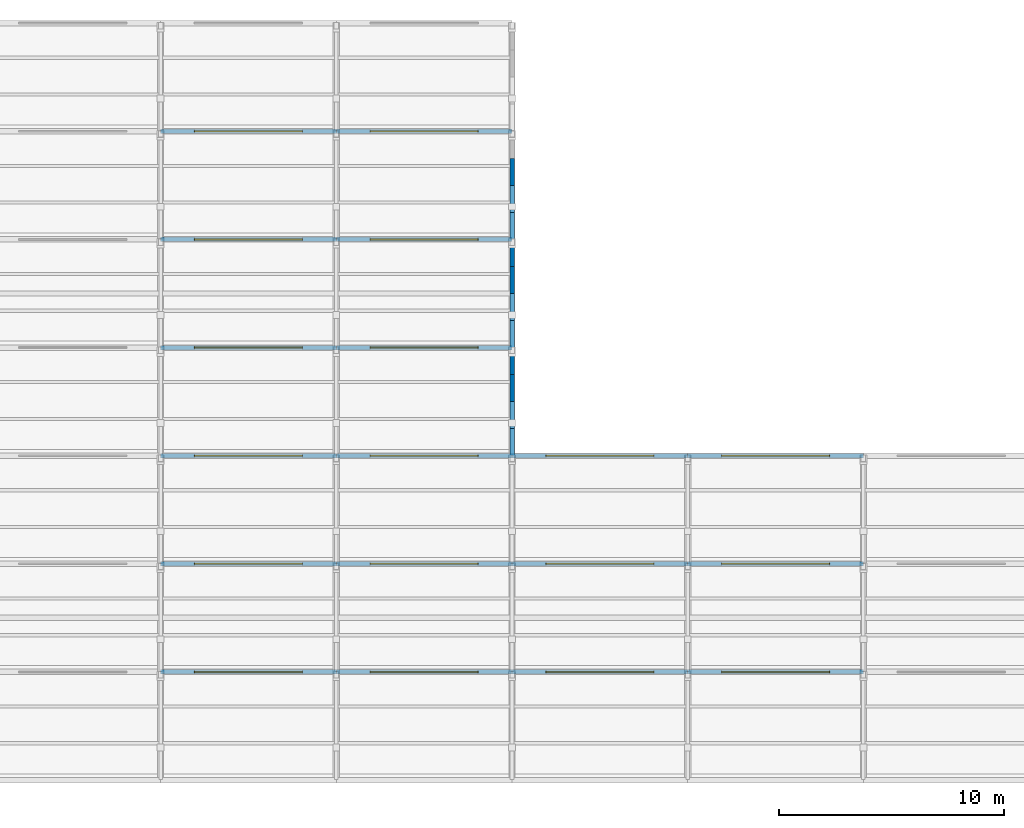
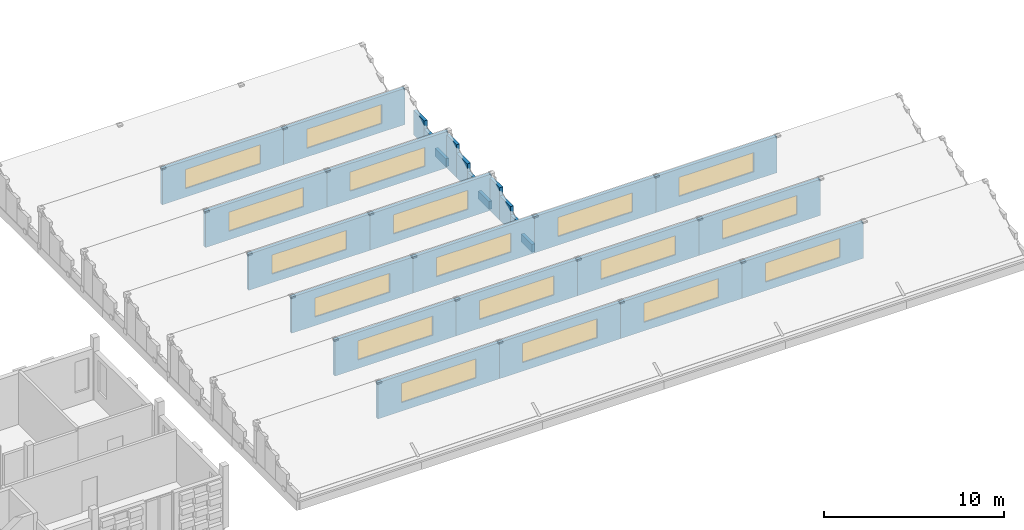
# One storey, part 63 of 81: 29 walls, 18 windows, 18 openings.
"""IFC4 building model written with IfcOpenShell, lengths in metres."""

from ifc_helpers import new_model, si_unit, direction, frame, frame_2d, origin, place, context, subcontext, project, spatial, rectangle, extrude, material, layer, layer_set, type_object, element, fill, save


model = new_model("IFC4")

# Units and contexts
model_context = context("Model", 3, precision=1e-05, world=origin(), true_north=direction((0.0, 1.0)))
body_context = subcontext(model_context, "Body", "Model", "MODEL_VIEW")
ifc_project = project(units=[si_unit("LENGTHUNIT", "METRE"), si_unit("AREAUNIT", "SQUARE_METRE"), si_unit("VOLUMEUNIT", "CUBIC_METRE"), si_unit("PLANEANGLEUNIT", "RADIAN"), si_unit("MASSUNIT", "GRAM", prefix="KILO")], contexts=[model_context])

# Site, building, storey
site_placement = place(None, origin())
site = spatial("IfcSite", under=ifc_project, at=site_placement, CompositionType="ELEMENT")
building_placement = place(site_placement, origin())
building = spatial("IfcBuilding", under=site, at=building_placement, Name="Kahlenmark Community Centre", CompositionType="ELEMENT")
storey_placement = place(building_placement, frame((0.0, 0.0, 9.60009765625)))
storey = spatial("IfcBuildingStorey", under=building, at=storey_placement, Name="L02", CompositionType="ELEMENT", Elevation=9.60009765625)

# Wall, opening, window
ifc_material_1 = material(Name="Cross-laminated timber CLT C24", Category="wood")
ifc_layer = layer(ifc_material_1, 0.199951171875)
ifc_layer_set = layer_set([ifc_layer], Name="Cross-laminated timber CLT C24")
wall_type = type_object("IfcWallType", Name="WT-EW-SAW200", PredefinedType="SOLIDWALL", material=ifc_layer_set)
wall_1_placement = place(storey_placement, frame((129.39990234375, 13.60009765625, 0.0), z_axis=(0.0, 0.0, 1.0), x_axis=(1.0, 0.0, 0.0)))
wall_1 = element("IfcWall", 1, at=wall_1_placement, inside=storey, type_object=wall_type, Name="Sawtooth north-light wall bay 1", PredefinedType="SOLIDWALL", context=body_context, shape_type="SweptSolid", body=[
    extrude(rectangle(XDim=7.800048828125, YDim=0.199951171875, at=frame_2d((3.89990234375, 0.0))), origin(), (0.0, 0.0, 1.0), 2.4599609375),
])
opening_1_placement = place(wall_1_placement, frame((1.5, 0.0, 0.580078125)))
opening_1 = element("IfcOpeningElement", 2, at=opening_1_placement, cuts=wall_1, Name="Opening SK-SAW1", PredefinedType="OPENING", context=body_context, shape_type="SweptSolid", body=[
    extrude(rectangle(XDim=4.800048828125, YDim=1.300048828125, at=frame_2d((2.39990234375, 0.64990234375))), frame((0.0, 0.10986328125, 0.0), z_axis=(0.0, -1.0, 0.0), x_axis=(1.0, 0.0, 0.0)), (0.0, 0.0, 1.0), 0.219970703125),
])
ifc_material_2 = material(Name="North-light solar control triple glazing", Category="glass")
window_type = type_object("IfcWindowType", Name="WNT-SK-SAW", PartitioningType="TRIPLE_PANEL_VERTICAL", PredefinedType="SKYLIGHT", material=ifc_material_2)
window_1_placement = place(opening_1_placement, origin())
window_1 = element("IfcWindow", 3, at=window_1_placement, inside=storey, type_object=window_type, Name="Sawtooth north-light skylight 0552", OverallHeight=1.300048828125, OverallWidth=4.800048828125, PartitioningType="TRIPLE_PANEL_VERTICAL", PredefinedType="SKYLIGHT", context=body_context, shape_type="SweptSolid", body=[
    extrude(rectangle(XDim=4.800048828125, YDim=1.300048828125, at=frame_2d((2.39990234375, 0.64990234375))), frame((0.0, 0.030029296875, 0.0), z_axis=(0.0, -1.0, 0.0), x_axis=(1.0, 0.0, 0.0)), (0.0, 0.0, 1.0), 0.06005859375),
])
fill(opening_1, window_1)

wall_2_placement = place(storey_placement, frame((137.199951171875, 13.60009765625, 0.0), z_axis=(0.0, 0.0, 1.0), x_axis=(1.0, 0.0, 0.0)))
wall_2 = element("IfcWall", 4, at=wall_2_placement, inside=storey, type_object=wall_type, Name="Sawtooth north-light wall bay 1", PredefinedType="SOLIDWALL", context=body_context, shape_type="SweptSolid", body=[
    extrude(rectangle(XDim=7.800048828125, YDim=0.199951171875, at=frame_2d((3.89990234375, 0.0))), origin(), (0.0, 0.0, 1.0), 2.4599609375),
])
opening_2_placement = place(wall_2_placement, frame((1.5, 0.0, 0.580078125)))
opening_2 = element("IfcOpeningElement", 5, at=opening_2_placement, cuts=wall_2, Name="Opening SK-SAW1", PredefinedType="OPENING", context=body_context, shape_type="SweptSolid", body=[
    extrude(rectangle(XDim=4.800048828125, YDim=1.300048828125, at=frame_2d((2.39990234375, 0.64990234375))), frame((0.0, 0.10986328125, 0.0), z_axis=(0.0, -1.0, 0.0), x_axis=(1.0, 0.0, 0.0)), (0.0, 0.0, 1.0), 0.219970703125),
])
window_2_placement = place(opening_2_placement, origin())
window_2 = element("IfcWindow", 6, at=window_2_placement, inside=storey, type_object=window_type, Name="Sawtooth north-light skylight 0553", OverallHeight=1.300048828125, OverallWidth=4.800048828125, PartitioningType="TRIPLE_PANEL_VERTICAL", PredefinedType="SKYLIGHT", context=body_context, shape_type="SweptSolid", body=[
    extrude(rectangle(XDim=4.800048828125, YDim=1.300048828125, at=frame_2d((2.39990234375, 0.64990234375))), frame((0.0, 0.030029296875, 0.0), z_axis=(0.0, -1.0, 0.0), x_axis=(1.0, 0.0, 0.0)), (0.0, 0.0, 1.0), 0.06005859375),
])
fill(opening_2, window_2)

wall_3_placement = place(storey_placement, frame((145.0, 13.60009765625, 0.0), z_axis=(0.0, 0.0, 1.0), x_axis=(1.0, 0.0, 0.0)))
wall_3 = element("IfcWall", 7, at=wall_3_placement, inside=storey, type_object=wall_type, Name="Sawtooth north-light wall bay 1", PredefinedType="SOLIDWALL", context=body_context, shape_type="SweptSolid", body=[
    extrude(rectangle(XDim=7.800048828125, YDim=0.199951171875, at=frame_2d((3.89990234375, 0.0))), origin(), (0.0, 0.0, 1.0), 2.4599609375),
])
opening_3_placement = place(wall_3_placement, frame((1.5, 0.0, 0.580078125)))
opening_3 = element("IfcOpeningElement", 8, at=opening_3_placement, cuts=wall_3, Name="Opening SK-SAW1", PredefinedType="OPENING", context=body_context, shape_type="SweptSolid", body=[
    extrude(rectangle(XDim=4.800048828125, YDim=1.300048828125, at=frame_2d((2.39990234375, 0.64990234375))), frame((0.0, 0.10986328125, 0.0), z_axis=(0.0, -1.0, 0.0), x_axis=(1.0, 0.0, 0.0)), (0.0, 0.0, 1.0), 0.219970703125),
])
window_3_placement = place(opening_3_placement, origin())
window_3 = element("IfcWindow", 9, at=window_3_placement, inside=storey, type_object=window_type, Name="Sawtooth north-light skylight 0554", OverallHeight=1.300048828125, OverallWidth=4.800048828125, PartitioningType="TRIPLE_PANEL_VERTICAL", PredefinedType="SKYLIGHT", context=body_context, shape_type="SweptSolid", body=[
    extrude(rectangle(XDim=4.800048828125, YDim=1.300048828125, at=frame_2d((2.39990234375, 0.64990234375))), frame((0.0, 0.030029296875, 0.0), z_axis=(0.0, -1.0, 0.0), x_axis=(1.0, 0.0, 0.0)), (0.0, 0.0, 1.0), 0.06005859375),
])
fill(opening_3, window_3)

wall_4_placement = place(storey_placement, frame((152.800048828125, 13.60009765625, 0.0), z_axis=(0.0, 0.0, 1.0), x_axis=(1.0, 0.0, 0.0)))
wall_4 = element("IfcWall", 10, at=wall_4_placement, inside=storey, type_object=wall_type, Name="Sawtooth north-light wall bay 1", PredefinedType="SOLIDWALL", context=body_context, shape_type="SweptSolid", body=[
    extrude(rectangle(XDim=7.800048828125, YDim=0.199951171875, at=frame_2d((3.89990234375, 0.0))), origin(), (0.0, 0.0, 1.0), 2.4599609375),
])
opening_4_placement = place(wall_4_placement, frame((1.5, 0.0, 0.580078125)))
opening_4 = element("IfcOpeningElement", 11, at=opening_4_placement, cuts=wall_4, Name="Opening SK-SAW1", PredefinedType="OPENING", context=body_context, shape_type="SweptSolid", body=[
    extrude(rectangle(XDim=4.800048828125, YDim=1.300048828125, at=frame_2d((2.39990234375, 0.64990234375))), frame((0.0, 0.10986328125, 0.0), z_axis=(0.0, -1.0, 0.0), x_axis=(1.0, 0.0, 0.0)), (0.0, 0.0, 1.0), 0.219970703125),
])
window_4_placement = place(opening_4_placement, origin())
window_4 = element("IfcWindow", 12, at=window_4_placement, inside=storey, type_object=window_type, Name="Sawtooth north-light skylight 0555", OverallHeight=1.300048828125, OverallWidth=4.800048828125, PartitioningType="TRIPLE_PANEL_VERTICAL", PredefinedType="SKYLIGHT", context=body_context, shape_type="SweptSolid", body=[
    extrude(rectangle(XDim=4.800048828125, YDim=1.300048828125, at=frame_2d((2.39990234375, 0.64990234375))), frame((0.0, 0.030029296875, 0.0), z_axis=(0.0, -1.0, 0.0), x_axis=(1.0, 0.0, 0.0)), (0.0, 0.0, 1.0), 0.06005859375),
])
fill(opening_4, window_4)

wall_5_placement = place(storey_placement, frame((129.39990234375, 18.39990234375, 0.0), z_axis=(0.0, 0.0, 1.0), x_axis=(1.0, 0.0, 0.0)))
wall_5 = element("IfcWall", 13, at=wall_5_placement, inside=storey, type_object=wall_type, Name="Sawtooth north-light wall bay 2", PredefinedType="SOLIDWALL", context=body_context, shape_type="SweptSolid", body=[
    extrude(rectangle(XDim=7.800048828125, YDim=0.199951171875, at=frame_2d((3.89990234375, 0.0))), origin(), (0.0, 0.0, 1.0), 2.4599609375),
])
opening_5_placement = place(wall_5_placement, frame((1.5, 0.0, 0.580078125)))
opening_5 = element("IfcOpeningElement", 14, at=opening_5_placement, cuts=wall_5, Name="Opening SK-SAW1", PredefinedType="OPENING", context=body_context, shape_type="SweptSolid", body=[
    extrude(rectangle(XDim=4.800048828125, YDim=1.300048828125, at=frame_2d((2.39990234375, 0.64990234375))), frame((0.0, 0.10986328125, 0.0), z_axis=(0.0, -1.0, 0.0), x_axis=(1.0, 0.0, 0.0)), (0.0, 0.0, 1.0), 0.219970703125),
])
window_5_placement = place(opening_5_placement, origin())
window_5 = element("IfcWindow", 15, at=window_5_placement, inside=storey, type_object=window_type, Name="Sawtooth north-light skylight 0558", OverallHeight=1.300048828125, OverallWidth=4.800048828125, PartitioningType="TRIPLE_PANEL_VERTICAL", PredefinedType="SKYLIGHT", context=body_context, shape_type="SweptSolid", body=[
    extrude(rectangle(XDim=4.800048828125, YDim=1.300048828125, at=frame_2d((2.39990234375, 0.64990234375))), frame((0.0, 0.030029296875, 0.0), z_axis=(0.0, -1.0, 0.0), x_axis=(1.0, 0.0, 0.0)), (0.0, 0.0, 1.0), 0.06005859375),
])
fill(opening_5, window_5)

wall_6_placement = place(storey_placement, frame((137.199951171875, 18.39990234375, 0.0), z_axis=(0.0, 0.0, 1.0), x_axis=(1.0, 0.0, 0.0)))
wall_6 = element("IfcWall", 16, at=wall_6_placement, inside=storey, type_object=wall_type, Name="Sawtooth north-light wall bay 2", PredefinedType="SOLIDWALL", context=body_context, shape_type="SweptSolid", body=[
    extrude(rectangle(XDim=7.800048828125, YDim=0.199951171875, at=frame_2d((3.89990234375, 0.0))), origin(), (0.0, 0.0, 1.0), 2.4599609375),
])
opening_6_placement = place(wall_6_placement, frame((1.5, 0.0, 0.580078125)))
opening_6 = element("IfcOpeningElement", 17, at=opening_6_placement, cuts=wall_6, Name="Opening SK-SAW1", PredefinedType="OPENING", context=body_context, shape_type="SweptSolid", body=[
    extrude(rectangle(XDim=4.800048828125, YDim=1.300048828125, at=frame_2d((2.39990234375, 0.64990234375))), frame((0.0, 0.10986328125, 0.0), z_axis=(0.0, -1.0, 0.0), x_axis=(1.0, 0.0, 0.0)), (0.0, 0.0, 1.0), 0.219970703125),
])
window_6_placement = place(opening_6_placement, origin())
window_6 = element("IfcWindow", 18, at=window_6_placement, inside=storey, type_object=window_type, Name="Sawtooth north-light skylight 0559", OverallHeight=1.300048828125, OverallWidth=4.800048828125, PartitioningType="TRIPLE_PANEL_VERTICAL", PredefinedType="SKYLIGHT", context=body_context, shape_type="SweptSolid", body=[
    extrude(rectangle(XDim=4.800048828125, YDim=1.300048828125, at=frame_2d((2.39990234375, 0.64990234375))), frame((0.0, 0.030029296875, 0.0), z_axis=(0.0, -1.0, 0.0), x_axis=(1.0, 0.0, 0.0)), (0.0, 0.0, 1.0), 0.06005859375),
])
fill(opening_6, window_6)

wall_7_placement = place(storey_placement, frame((145.0, 18.39990234375, 0.0), z_axis=(0.0, 0.0, 1.0), x_axis=(1.0, 0.0, 0.0)))
wall_7 = element("IfcWall", 19, at=wall_7_placement, inside=storey, type_object=wall_type, Name="Sawtooth north-light wall bay 2", PredefinedType="SOLIDWALL", context=body_context, shape_type="SweptSolid", body=[
    extrude(rectangle(XDim=7.800048828125, YDim=0.199951171875, at=frame_2d((3.89990234375, 0.0))), origin(), (0.0, 0.0, 1.0), 2.4599609375),
])
opening_7_placement = place(wall_7_placement, frame((1.5, 0.0, 0.580078125)))
opening_7 = element("IfcOpeningElement", 20, at=opening_7_placement, cuts=wall_7, Name="Opening SK-SAW1", PredefinedType="OPENING", context=body_context, shape_type="SweptSolid", body=[
    extrude(rectangle(XDim=4.800048828125, YDim=1.300048828125, at=frame_2d((2.39990234375, 0.64990234375))), frame((0.0, 0.10986328125, 0.0), z_axis=(0.0, -1.0, 0.0), x_axis=(1.0, 0.0, 0.0)), (0.0, 0.0, 1.0), 0.219970703125),
])
window_7_placement = place(opening_7_placement, origin())
window_7 = element("IfcWindow", 21, at=window_7_placement, inside=storey, type_object=window_type, Name="Sawtooth north-light skylight 0560", OverallHeight=1.300048828125, OverallWidth=4.800048828125, PartitioningType="TRIPLE_PANEL_VERTICAL", PredefinedType="SKYLIGHT", context=body_context, shape_type="SweptSolid", body=[
    extrude(rectangle(XDim=4.800048828125, YDim=1.300048828125, at=frame_2d((2.39990234375, 0.64990234375))), frame((0.0, 0.030029296875, 0.0), z_axis=(0.0, -1.0, 0.0), x_axis=(1.0, 0.0, 0.0)), (0.0, 0.0, 1.0), 0.06005859375),
])
fill(opening_7, window_7)

wall_8_placement = place(storey_placement, frame((152.800048828125, 18.39990234375, 0.0), z_axis=(0.0, 0.0, 1.0), x_axis=(1.0, 0.0, 0.0)))
wall_8 = element("IfcWall", 22, at=wall_8_placement, inside=storey, type_object=wall_type, Name="Sawtooth north-light wall bay 2", PredefinedType="SOLIDWALL", context=body_context, shape_type="SweptSolid", body=[
    extrude(rectangle(XDim=7.800048828125, YDim=0.199951171875, at=frame_2d((3.89990234375, 0.0))), origin(), (0.0, 0.0, 1.0), 2.4599609375),
])
opening_8_placement = place(wall_8_placement, frame((1.5, 0.0, 0.580078125)))
opening_8 = element("IfcOpeningElement", 23, at=opening_8_placement, cuts=wall_8, Name="Opening SK-SAW1", PredefinedType="OPENING", context=body_context, shape_type="SweptSolid", body=[
    extrude(rectangle(XDim=4.800048828125, YDim=1.300048828125, at=frame_2d((2.39990234375, 0.64990234375))), frame((0.0, 0.10986328125, 0.0), z_axis=(0.0, -1.0, 0.0), x_axis=(1.0, 0.0, 0.0)), (0.0, 0.0, 1.0), 0.219970703125),
])
window_8_placement = place(opening_8_placement, origin())
window_8 = element("IfcWindow", 24, at=window_8_placement, inside=storey, type_object=window_type, Name="Sawtooth north-light skylight 0561", OverallHeight=1.300048828125, OverallWidth=4.800048828125, PartitioningType="TRIPLE_PANEL_VERTICAL", PredefinedType="SKYLIGHT", context=body_context, shape_type="SweptSolid", body=[
    extrude(rectangle(XDim=4.800048828125, YDim=1.300048828125, at=frame_2d((2.39990234375, 0.64990234375))), frame((0.0, 0.030029296875, 0.0), z_axis=(0.0, -1.0, 0.0), x_axis=(1.0, 0.0, 0.0)), (0.0, 0.0, 1.0), 0.06005859375),
])
fill(opening_8, window_8)

wall_9_placement = place(storey_placement, frame((129.39990234375, 23.199951171875, 0.0), z_axis=(0.0, 0.0, 1.0), x_axis=(1.0, 0.0, 0.0)))
wall_9 = element("IfcWall", 25, at=wall_9_placement, inside=storey, type_object=wall_type, Name="Sawtooth north-light wall bay 3", PredefinedType="SOLIDWALL", context=body_context, shape_type="SweptSolid", body=[
    extrude(rectangle(XDim=7.800048828125, YDim=0.199951171875, at=frame_2d((3.89990234375, 0.0))), origin(), (0.0, 0.0, 1.0), 2.4599609375),
])
opening_9_placement = place(wall_9_placement, frame((1.5, 0.0, 0.580078125)))
opening_9 = element("IfcOpeningElement", 26, at=opening_9_placement, cuts=wall_9, Name="Opening SK-SAW1", PredefinedType="OPENING", context=body_context, shape_type="SweptSolid", body=[
    extrude(rectangle(XDim=4.800048828125, YDim=1.300048828125, at=frame_2d((2.39990234375, 0.64990234375))), frame((0.0, 0.10986328125, 0.0), z_axis=(0.0, -1.0, 0.0), x_axis=(1.0, 0.0, 0.0)), (0.0, 0.0, 1.0), 0.219970703125),
])
window_9_placement = place(opening_9_placement, origin())
window_9 = element("IfcWindow", 27, at=window_9_placement, inside=storey, type_object=window_type, Name="Sawtooth north-light skylight 0564", OverallHeight=1.300048828125, OverallWidth=4.800048828125, PartitioningType="TRIPLE_PANEL_VERTICAL", PredefinedType="SKYLIGHT", context=body_context, shape_type="SweptSolid", body=[
    extrude(rectangle(XDim=4.800048828125, YDim=1.300048828125, at=frame_2d((2.39990234375, 0.64990234375))), frame((0.0, 0.030029296875, 0.0), z_axis=(0.0, -1.0, 0.0), x_axis=(1.0, 0.0, 0.0)), (0.0, 0.0, 1.0), 0.06005859375),
])
fill(opening_9, window_9)

wall_10_placement = place(storey_placement, frame((137.199951171875, 23.199951171875, 0.0), z_axis=(0.0, 0.0, 1.0), x_axis=(1.0, 0.0, 0.0)))
wall_10 = element("IfcWall", 28, at=wall_10_placement, inside=storey, type_object=wall_type, Name="Sawtooth north-light wall bay 3", PredefinedType="SOLIDWALL", context=body_context, shape_type="SweptSolid", body=[
    extrude(rectangle(XDim=7.800048828125, YDim=0.199951171875, at=frame_2d((3.89990234375, 0.0))), origin(), (0.0, 0.0, 1.0), 2.4599609375),
])
opening_10_placement = place(wall_10_placement, frame((1.5, 0.0, 0.580078125)))
opening_10 = element("IfcOpeningElement", 29, at=opening_10_placement, cuts=wall_10, Name="Opening SK-SAW1", PredefinedType="OPENING", context=body_context, shape_type="SweptSolid", body=[
    extrude(rectangle(XDim=4.800048828125, YDim=1.300048828125, at=frame_2d((2.39990234375, 0.64990234375))), frame((0.0, 0.10986328125, 0.0), z_axis=(0.0, -1.0, 0.0), x_axis=(1.0, 0.0, 0.0)), (0.0, 0.0, 1.0), 0.219970703125),
])
window_10_placement = place(opening_10_placement, origin())
window_10 = element("IfcWindow", 30, at=window_10_placement, inside=storey, type_object=window_type, Name="Sawtooth north-light skylight 0565", OverallHeight=1.300048828125, OverallWidth=4.800048828125, PartitioningType="TRIPLE_PANEL_VERTICAL", PredefinedType="SKYLIGHT", context=body_context, shape_type="SweptSolid", body=[
    extrude(rectangle(XDim=4.800048828125, YDim=1.300048828125, at=frame_2d((2.39990234375, 0.64990234375))), frame((0.0, 0.030029296875, 0.0), z_axis=(0.0, -1.0, 0.0), x_axis=(1.0, 0.0, 0.0)), (0.0, 0.0, 1.0), 0.06005859375),
])
fill(opening_10, window_10)

wall_11_placement = place(storey_placement, frame((145.0, 23.199951171875, 0.0), z_axis=(0.0, 0.0, 1.0), x_axis=(1.0, 0.0, 0.0)))
wall_11 = element("IfcWall", 31, at=wall_11_placement, inside=storey, type_object=wall_type, Name="Sawtooth north-light wall bay 3", PredefinedType="SOLIDWALL", context=body_context, shape_type="SweptSolid", body=[
    extrude(rectangle(XDim=7.800048828125, YDim=0.199951171875, at=frame_2d((3.89990234375, 0.0))), origin(), (0.0, 0.0, 1.0), 2.4599609375),
])
opening_11_placement = place(wall_11_placement, frame((1.5, 0.0, 0.580078125)))
opening_11 = element("IfcOpeningElement", 32, at=opening_11_placement, cuts=wall_11, Name="Opening SK-SAW1", PredefinedType="OPENING", context=body_context, shape_type="SweptSolid", body=[
    extrude(rectangle(XDim=4.800048828125, YDim=1.300048828125, at=frame_2d((2.39990234375, 0.64990234375))), frame((0.0, 0.10986328125, 0.0), z_axis=(0.0, -1.0, 0.0), x_axis=(1.0, 0.0, 0.0)), (0.0, 0.0, 1.0), 0.219970703125),
])
window_11_placement = place(opening_11_placement, origin())
window_11 = element("IfcWindow", 33, at=window_11_placement, inside=storey, type_object=window_type, Name="Sawtooth north-light skylight 0566", OverallHeight=1.300048828125, OverallWidth=4.800048828125, PartitioningType="TRIPLE_PANEL_VERTICAL", PredefinedType="SKYLIGHT", context=body_context, shape_type="SweptSolid", body=[
    extrude(rectangle(XDim=4.800048828125, YDim=1.300048828125, at=frame_2d((2.39990234375, 0.64990234375))), frame((0.0, 0.030029296875, 0.0), z_axis=(0.0, -1.0, 0.0), x_axis=(1.0, 0.0, 0.0)), (0.0, 0.0, 1.0), 0.06005859375),
])
fill(opening_11, window_11)

wall_12_placement = place(storey_placement, frame((152.800048828125, 23.199951171875, 0.0), z_axis=(0.0, 0.0, 1.0), x_axis=(1.0, 0.0, 0.0)))
wall_12 = element("IfcWall", 34, at=wall_12_placement, inside=storey, type_object=wall_type, Name="Sawtooth north-light wall bay 3", PredefinedType="SOLIDWALL", context=body_context, shape_type="SweptSolid", body=[
    extrude(rectangle(XDim=7.800048828125, YDim=0.199951171875, at=frame_2d((3.89990234375, 0.0))), origin(), (0.0, 0.0, 1.0), 2.4599609375),
])
opening_12_placement = place(wall_12_placement, frame((1.5, 0.0, 0.580078125)))
opening_12 = element("IfcOpeningElement", 35, at=opening_12_placement, cuts=wall_12, Name="Opening SK-SAW1", PredefinedType="OPENING", context=body_context, shape_type="SweptSolid", body=[
    extrude(rectangle(XDim=4.800048828125, YDim=1.300048828125, at=frame_2d((2.39990234375, 0.64990234375))), frame((0.0, 0.10986328125, 0.0), z_axis=(0.0, -1.0, 0.0), x_axis=(1.0, 0.0, 0.0)), (0.0, 0.0, 1.0), 0.219970703125),
])
window_12_placement = place(opening_12_placement, origin())
window_12 = element("IfcWindow", 36, at=window_12_placement, inside=storey, type_object=window_type, Name="Sawtooth north-light skylight 0567", OverallHeight=1.300048828125, OverallWidth=4.800048828125, PartitioningType="TRIPLE_PANEL_VERTICAL", PredefinedType="SKYLIGHT", context=body_context, shape_type="SweptSolid", body=[
    extrude(rectangle(XDim=4.800048828125, YDim=1.300048828125, at=frame_2d((2.39990234375, 0.64990234375))), frame((0.0, 0.030029296875, 0.0), z_axis=(0.0, -1.0, 0.0), x_axis=(1.0, 0.0, 0.0)), (0.0, 0.0, 1.0), 0.06005859375),
])
fill(opening_12, window_12)

wall_13_placement = place(storey_placement, frame((129.39990234375, 28.0, 0.0), z_axis=(0.0, 0.0, 1.0), x_axis=(1.0, 0.0, 0.0)))
wall_13 = element("IfcWall", 37, at=wall_13_placement, inside=storey, type_object=wall_type, Name="Sawtooth north-light wall bay 4", PredefinedType="SOLIDWALL", context=body_context, shape_type="SweptSolid", body=[
    extrude(rectangle(XDim=7.800048828125, YDim=0.199951171875, at=frame_2d((3.89990234375, 0.0))), origin(), (0.0, 0.0, 1.0), 2.4599609375),
])
opening_13_placement = place(wall_13_placement, frame((1.5, 0.0, 0.580078125)))
opening_13 = element("IfcOpeningElement", 38, at=opening_13_placement, cuts=wall_13, Name="Opening SK-SAW1", PredefinedType="OPENING", context=body_context, shape_type="SweptSolid", body=[
    extrude(rectangle(XDim=4.800048828125, YDim=1.300048828125, at=frame_2d((2.39990234375, 0.64990234375))), frame((0.0, 0.10986328125, 0.0), z_axis=(0.0, -1.0, 0.0), x_axis=(1.0, 0.0, 0.0)), (0.0, 0.0, 1.0), 0.219970703125),
])
window_13_placement = place(opening_13_placement, origin())
window_13 = element("IfcWindow", 39, at=window_13_placement, inside=storey, type_object=window_type, Name="Sawtooth north-light skylight 0570", OverallHeight=1.300048828125, OverallWidth=4.800048828125, PartitioningType="TRIPLE_PANEL_VERTICAL", PredefinedType="SKYLIGHT", context=body_context, shape_type="SweptSolid", body=[
    extrude(rectangle(XDim=4.800048828125, YDim=1.300048828125, at=frame_2d((2.39990234375, 0.64990234375))), frame((0.0, 0.030029296875, 0.0), z_axis=(0.0, -1.0, 0.0), x_axis=(1.0, 0.0, 0.0)), (0.0, 0.0, 1.0), 0.06005859375),
])
fill(opening_13, window_13)

wall_14_placement = place(storey_placement, frame((137.199951171875, 28.0, 0.0), z_axis=(0.0, 0.0, 1.0), x_axis=(1.0, 0.0, 0.0)))
wall_14 = element("IfcWall", 40, at=wall_14_placement, inside=storey, type_object=wall_type, Name="Sawtooth north-light wall bay 4", PredefinedType="SOLIDWALL", context=body_context, shape_type="SweptSolid", body=[
    extrude(rectangle(XDim=7.800048828125, YDim=0.199951171875, at=frame_2d((3.89990234375, 0.0))), origin(), (0.0, 0.0, 1.0), 2.4599609375),
])
opening_14_placement = place(wall_14_placement, frame((1.5, 0.0, 0.580078125)))
opening_14 = element("IfcOpeningElement", 41, at=opening_14_placement, cuts=wall_14, Name="Opening SK-SAW1", PredefinedType="OPENING", context=body_context, shape_type="SweptSolid", body=[
    extrude(rectangle(XDim=4.800048828125, YDim=1.300048828125, at=frame_2d((2.39990234375, 0.64990234375))), frame((0.0, 0.10986328125, 0.0), z_axis=(0.0, -1.0, 0.0), x_axis=(1.0, 0.0, 0.0)), (0.0, 0.0, 1.0), 0.219970703125),
])
window_14_placement = place(opening_14_placement, origin())
window_14 = element("IfcWindow", 42, at=window_14_placement, inside=storey, type_object=window_type, Name="Sawtooth north-light skylight 0571", OverallHeight=1.300048828125, OverallWidth=4.800048828125, PartitioningType="TRIPLE_PANEL_VERTICAL", PredefinedType="SKYLIGHT", context=body_context, shape_type="SweptSolid", body=[
    extrude(rectangle(XDim=4.800048828125, YDim=1.300048828125, at=frame_2d((2.39990234375, 0.64990234375))), frame((0.0, 0.030029296875, 0.0), z_axis=(0.0, -1.0, 0.0), x_axis=(1.0, 0.0, 0.0)), (0.0, 0.0, 1.0), 0.06005859375),
])
fill(opening_14, window_14)

# Walls
wall_15_placement = place(storey_placement, frame((145.0, 23.199951171875, 0.0), z_axis=(0.0, 0.0, 1.0), x_axis=(0.0, 1.0, 0.0)))
element("IfcWall", 43, at=wall_15_placement, inside=storey, type_object=wall_type, Name="Sawtooth stepped cheek gable 0977", PredefinedType="SOLIDWALL", context=body_context, shape_type="SweptSolid", body=[
    extrude(rectangle(XDim=1.199951171875, YDim=0.199951171875, at=frame_2d((0.60009765625, 0.0))), origin(), (0.0, 0.0, 1.0), 0.5439453125),
])
wall_16_placement = place(storey_placement, frame((145.0, 24.39990234375, 0.0), z_axis=(0.0, 0.0, 1.0), x_axis=(0.0, 1.0, 0.0)))
element("IfcWall", 44, at=wall_16_placement, inside=storey, type_object=wall_type, Name="Sawtooth stepped cheek gable 0978", PredefinedType="SOLIDWALL", context=body_context, shape_type="SweptSolid", body=[
    extrude(rectangle(XDim=1.2001953125, YDim=0.199951171875, at=frame_2d((0.60009765625, 0.0))), origin(), (0.0, 0.0, 1.0), 1.10400390625),
])
wall_17_placement = place(storey_placement, frame((145.0, 25.60009765625, 0.0), z_axis=(0.0, 0.0, 1.0), x_axis=(0.0, 1.0, 0.0)))
element("IfcWall", 45, at=wall_17_placement, inside=storey, type_object=wall_type, Name="Sawtooth stepped cheek gable 0979", PredefinedType="SOLIDWALL", context=body_context, shape_type="SweptSolid", body=[
    extrude(rectangle(XDim=1.199951171875, YDim=0.199951171875, at=frame_2d((0.60009765625, 0.0))), origin(), (0.0, 0.0, 1.0), 1.663818359375),
])
wall_18_placement = place(storey_placement, frame((145.0, 26.800048828125, 0.0), z_axis=(0.0, 0.0, 1.0), x_axis=(0.0, 1.0, 0.0)))
element("IfcWall", 46, at=wall_18_placement, inside=storey, type_object=wall_type, Name="Sawtooth stepped cheek gable 0980", PredefinedType="SOLIDWALL", context=body_context, shape_type="SweptSolid", body=[
    extrude(rectangle(XDim=1.199951171875, YDim=0.199951171875, at=frame_2d((0.60009765625, 0.0))), origin(), (0.0, 0.0, 1.0), 2.223876953125),
])

# Wall, opening, window
wall_19_placement = place(storey_placement, frame((129.39990234375, 32.800048828125, 0.0), z_axis=(0.0, 0.0, 1.0), x_axis=(1.0, 0.0, 0.0)))
wall_19 = element("IfcWall", 47, at=wall_19_placement, inside=storey, type_object=wall_type, Name="Sawtooth north-light wall bay 5", PredefinedType="SOLIDWALL", context=body_context, shape_type="SweptSolid", body=[
    extrude(rectangle(XDim=7.800048828125, YDim=0.199951171875, at=frame_2d((3.89990234375, 0.0))), origin(), (0.0, 0.0, 1.0), 2.4599609375),
])
opening_15_placement = place(wall_19_placement, frame((1.5, 0.0, 0.580078125)))
opening_15 = element("IfcOpeningElement", 48, at=opening_15_placement, cuts=wall_19, Name="Opening SK-SAW1", PredefinedType="OPENING", context=body_context, shape_type="SweptSolid", body=[
    extrude(rectangle(XDim=4.800048828125, YDim=1.300048828125, at=frame_2d((2.39990234375, 0.64990234375))), frame((0.0, 0.10986328125, 0.0), z_axis=(0.0, -1.0, 0.0), x_axis=(1.0, 0.0, 0.0)), (0.0, 0.0, 1.0), 0.219970703125),
])
window_15_placement = place(opening_15_placement, origin())
window_15 = element("IfcWindow", 49, at=window_15_placement, inside=storey, type_object=window_type, Name="Sawtooth north-light skylight 0573", OverallHeight=1.300048828125, OverallWidth=4.800048828125, PartitioningType="TRIPLE_PANEL_VERTICAL", PredefinedType="SKYLIGHT", context=body_context, shape_type="SweptSolid", body=[
    extrude(rectangle(XDim=4.800048828125, YDim=1.300048828125, at=frame_2d((2.39990234375, 0.64990234375))), frame((0.0, 0.030029296875, 0.0), z_axis=(0.0, -1.0, 0.0), x_axis=(1.0, 0.0, 0.0)), (0.0, 0.0, 1.0), 0.06005859375),
])
fill(opening_15, window_15)

wall_20_placement = place(storey_placement, frame((137.199951171875, 32.800048828125, 0.0), z_axis=(0.0, 0.0, 1.0), x_axis=(1.0, 0.0, 0.0)))
wall_20 = element("IfcWall", 50, at=wall_20_placement, inside=storey, type_object=wall_type, Name="Sawtooth north-light wall bay 5", PredefinedType="SOLIDWALL", context=body_context, shape_type="SweptSolid", body=[
    extrude(rectangle(XDim=7.800048828125, YDim=0.199951171875, at=frame_2d((3.89990234375, 0.0))), origin(), (0.0, 0.0, 1.0), 2.4599609375),
])
opening_16_placement = place(wall_20_placement, frame((1.5, 0.0, 0.580078125)))
opening_16 = element("IfcOpeningElement", 51, at=opening_16_placement, cuts=wall_20, Name="Opening SK-SAW1", PredefinedType="OPENING", context=body_context, shape_type="SweptSolid", body=[
    extrude(rectangle(XDim=4.800048828125, YDim=1.300048828125, at=frame_2d((2.39990234375, 0.64990234375))), frame((0.0, 0.10986328125, 0.0), z_axis=(0.0, -1.0, 0.0), x_axis=(1.0, 0.0, 0.0)), (0.0, 0.0, 1.0), 0.219970703125),
])
window_16_placement = place(opening_16_placement, origin())
window_16 = element("IfcWindow", 52, at=window_16_placement, inside=storey, type_object=window_type, Name="Sawtooth north-light skylight 0574", OverallHeight=1.300048828125, OverallWidth=4.800048828125, PartitioningType="TRIPLE_PANEL_VERTICAL", PredefinedType="SKYLIGHT", context=body_context, shape_type="SweptSolid", body=[
    extrude(rectangle(XDim=4.800048828125, YDim=1.300048828125, at=frame_2d((2.39990234375, 0.64990234375))), frame((0.0, 0.030029296875, 0.0), z_axis=(0.0, -1.0, 0.0), x_axis=(1.0, 0.0, 0.0)), (0.0, 0.0, 1.0), 0.06005859375),
])
fill(opening_16, window_16)

# Walls
wall_21_placement = place(storey_placement, frame((145.0, 28.0, 0.0), z_axis=(0.0, 0.0, 1.0), x_axis=(0.0, 1.0, 0.0)))
element("IfcWall", 53, at=wall_21_placement, inside=storey, type_object=wall_type, Name="Sawtooth stepped cheek gable 0988", PredefinedType="SOLIDWALL", context=body_context, shape_type="SweptSolid", body=[
    extrude(rectangle(XDim=1.199951171875, YDim=0.199951171875, at=frame_2d((0.60009765625, 0.0))), origin(), (0.0, 0.0, 1.0), 0.5439453125),
])
wall_22_placement = place(storey_placement, frame((145.0, 29.199951171875, 0.0), z_axis=(0.0, 0.0, 1.0), x_axis=(0.0, 1.0, 0.0)))
element("IfcWall", 54, at=wall_22_placement, inside=storey, type_object=wall_type, Name="Sawtooth stepped cheek gable 0989", PredefinedType="SOLIDWALL", context=body_context, shape_type="SweptSolid", body=[
    extrude(rectangle(XDim=1.199951171875, YDim=0.199951171875, at=frame_2d((0.60009765625, 0.0))), origin(), (0.0, 0.0, 1.0), 1.10400390625),
])
wall_23_placement = place(storey_placement, frame((145.0, 30.39990234375, 0.0), z_axis=(0.0, 0.0, 1.0), x_axis=(0.0, 1.0, 0.0)))
element("IfcWall", 55, at=wall_23_placement, inside=storey, type_object=wall_type, Name="Sawtooth stepped cheek gable 0990", PredefinedType="SOLIDWALL", context=body_context, shape_type="SweptSolid", body=[
    extrude(rectangle(XDim=1.2001953125, YDim=0.199951171875, at=frame_2d((0.60009765625, 0.0))), origin(), (0.0, 0.0, 1.0), 1.663818359375),
])
wall_24_placement = place(storey_placement, frame((145.0, 31.60009765625, 0.0), z_axis=(0.0, 0.0, 1.0), x_axis=(0.0, 1.0, 0.0)))
element("IfcWall", 56, at=wall_24_placement, inside=storey, type_object=wall_type, Name="Sawtooth stepped cheek gable 0991", PredefinedType="SOLIDWALL", context=body_context, shape_type="SweptSolid", body=[
    extrude(rectangle(XDim=1.199951171875, YDim=0.199951171875, at=frame_2d((0.60009765625, 0.0))), origin(), (0.0, 0.0, 1.0), 2.223876953125),
])

# Wall, opening, window
wall_25_placement = place(storey_placement, frame((129.39990234375, 37.60009765625, 0.0), z_axis=(0.0, 0.0, 1.0), x_axis=(1.0, 0.0, 0.0)))
wall_25 = element("IfcWall", 57, at=wall_25_placement, inside=storey, type_object=wall_type, Name="Sawtooth north-light wall bay 6", PredefinedType="SOLIDWALL", context=body_context, shape_type="SweptSolid", body=[
    extrude(rectangle(XDim=7.800048828125, YDim=0.199951171875, at=frame_2d((3.89990234375, 0.0))), origin(), (0.0, 0.0, 1.0), 2.4599609375),
])
opening_17_placement = place(wall_25_placement, frame((1.5, 0.0, 0.580078125)))
opening_17 = element("IfcOpeningElement", 58, at=opening_17_placement, cuts=wall_25, Name="Opening SK-SAW1", PredefinedType="OPENING", context=body_context, shape_type="SweptSolid", body=[
    extrude(rectangle(XDim=4.800048828125, YDim=1.300048828125, at=frame_2d((2.39990234375, 0.64990234375))), frame((0.0, 0.10986328125, 0.0), z_axis=(0.0, -1.0, 0.0), x_axis=(1.0, 0.0, 0.0)), (0.0, 0.0, 1.0), 0.219970703125),
])
window_17_placement = place(opening_17_placement, origin())
window_17 = element("IfcWindow", 59, at=window_17_placement, inside=storey, type_object=window_type, Name="Sawtooth north-light skylight 0576", OverallHeight=1.300048828125, OverallWidth=4.800048828125, PartitioningType="TRIPLE_PANEL_VERTICAL", PredefinedType="SKYLIGHT", context=body_context, shape_type="SweptSolid", body=[
    extrude(rectangle(XDim=4.800048828125, YDim=1.300048828125, at=frame_2d((2.39990234375, 0.64990234375))), frame((0.0, 0.030029296875, 0.0), z_axis=(0.0, -1.0, 0.0), x_axis=(1.0, 0.0, 0.0)), (0.0, 0.0, 1.0), 0.06005859375),
])
fill(opening_17, window_17)

wall_26_placement = place(storey_placement, frame((137.199951171875, 37.60009765625, 0.0), z_axis=(0.0, 0.0, 1.0), x_axis=(1.0, 0.0, 0.0)))
wall_26 = element("IfcWall", 60, at=wall_26_placement, inside=storey, type_object=wall_type, Name="Sawtooth north-light wall bay 6", PredefinedType="SOLIDWALL", context=body_context, shape_type="SweptSolid", body=[
    extrude(rectangle(XDim=7.800048828125, YDim=0.199951171875, at=frame_2d((3.89990234375, 0.0))), origin(), (0.0, 0.0, 1.0), 2.4599609375),
])
opening_18_placement = place(wall_26_placement, frame((1.5, 0.0, 0.580078125)))
opening_18 = element("IfcOpeningElement", 61, at=opening_18_placement, cuts=wall_26, Name="Opening SK-SAW1", PredefinedType="OPENING", context=body_context, shape_type="SweptSolid", body=[
    extrude(rectangle(XDim=4.800048828125, YDim=1.300048828125, at=frame_2d((2.39990234375, 0.64990234375))), frame((0.0, 0.10986328125, 0.0), z_axis=(0.0, -1.0, 0.0), x_axis=(1.0, 0.0, 0.0)), (0.0, 0.0, 1.0), 0.219970703125),
])
window_18_placement = place(opening_18_placement, origin())
window_18 = element("IfcWindow", 62, at=window_18_placement, inside=storey, type_object=window_type, Name="Sawtooth north-light skylight 0577", OverallHeight=1.300048828125, OverallWidth=4.800048828125, PartitioningType="TRIPLE_PANEL_VERTICAL", PredefinedType="SKYLIGHT", context=body_context, shape_type="SweptSolid", body=[
    extrude(rectangle(XDim=4.800048828125, YDim=1.300048828125, at=frame_2d((2.39990234375, 0.64990234375))), frame((0.0, 0.030029296875, 0.0), z_axis=(0.0, -1.0, 0.0), x_axis=(1.0, 0.0, 0.0)), (0.0, 0.0, 1.0), 0.06005859375),
])
fill(opening_18, window_18)

# Walls
wall_27_placement = place(storey_placement, frame((145.0, 32.800048828125, 0.0), z_axis=(0.0, 0.0, 1.0), x_axis=(0.0, 1.0, 0.0)))
element("IfcWall", 63, at=wall_27_placement, inside=storey, type_object=wall_type, Name="Sawtooth stepped cheek gable 0999", PredefinedType="SOLIDWALL", context=body_context, shape_type="SweptSolid", body=[
    extrude(rectangle(XDim=1.199951171875, YDim=0.199951171875, at=frame_2d((0.60009765625, 0.0))), origin(), (0.0, 0.0, 1.0), 0.5439453125),
])
wall_28_placement = place(storey_placement, frame((145.0, 34.0, 0.0), z_axis=(0.0, 0.0, 1.0), x_axis=(0.0, 1.0, 0.0)))
element("IfcWall", 64, at=wall_28_placement, inside=storey, type_object=wall_type, Name="Sawtooth stepped cheek gable 1000", PredefinedType="SOLIDWALL", context=body_context, shape_type="SweptSolid", body=[
    extrude(rectangle(XDim=1.199951171875, YDim=0.199951171875, at=frame_2d((0.60009765625, 0.0))), origin(), (0.0, 0.0, 1.0), 1.10400390625),
])
wall_29_placement = place(storey_placement, frame((145.0, 35.199951171875, 0.0), z_axis=(0.0, 0.0, 1.0), x_axis=(0.0, 1.0, 0.0)))
element("IfcWall", 65, at=wall_29_placement, inside=storey, type_object=wall_type, Name="Sawtooth stepped cheek gable 1001", PredefinedType="SOLIDWALL", context=body_context, shape_type="SweptSolid", body=[
    extrude(rectangle(XDim=1.199951171875, YDim=0.199951171875, at=frame_2d((0.60009765625, 0.0))), origin(), (0.0, 0.0, 1.0), 1.663818359375),
])

save(model, "model.ifc")
